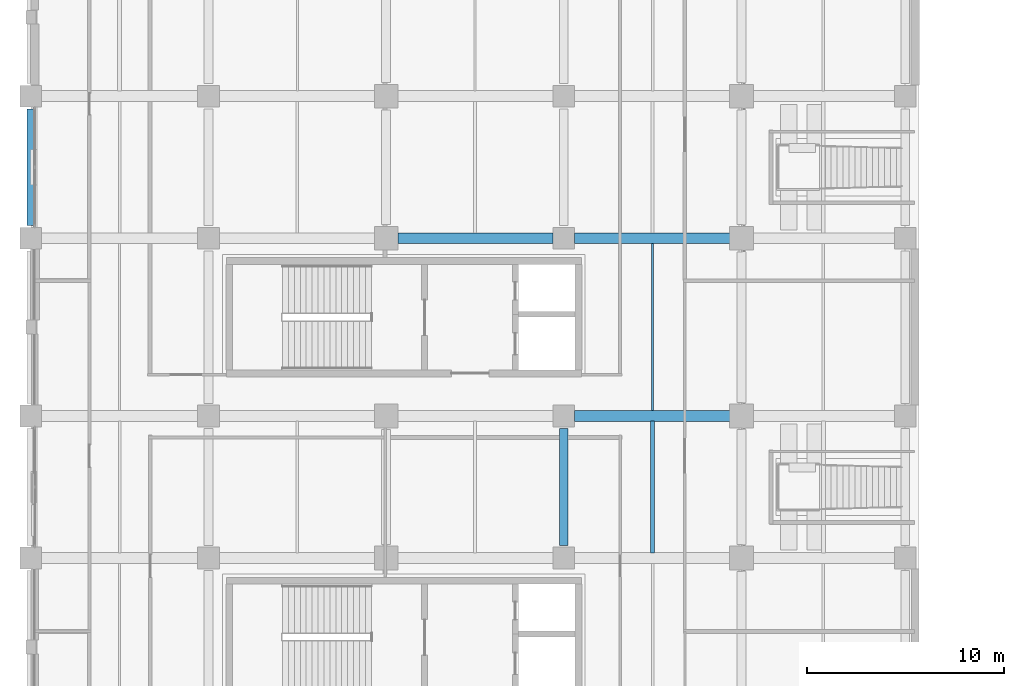
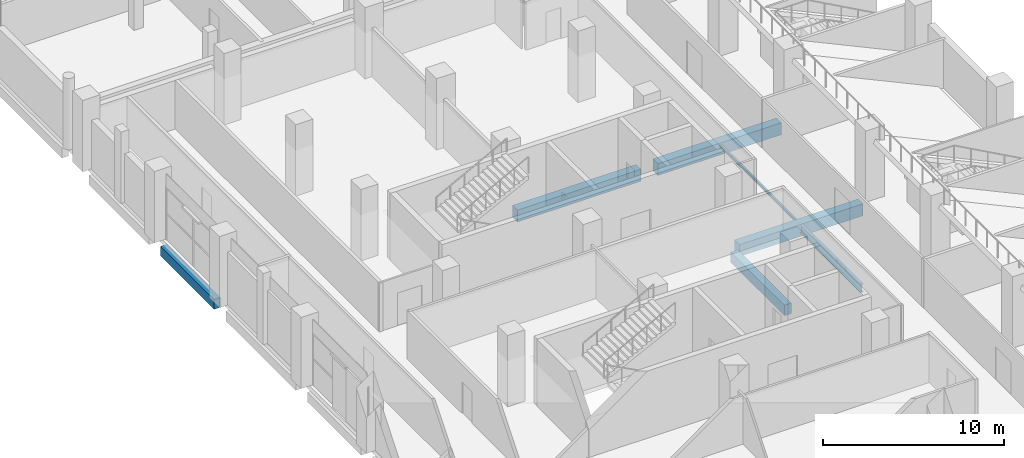
# One storey, part 17 of 100: 7 beams.
"""IFC4 building model written with IfcOpenShell, lengths in metres."""

from ifc_helpers import new_model, si_unit, direction, frame, origin, origin_2d, place, context, subcontext, project, spatial, rectangle, i_section, extrude, material, material_profile, profile_set, type_object, element, save


model = new_model("IFC4")

# Units and contexts
model_context = context("Model", 3, precision=1e-05, world=origin(), true_north=direction((0.0, 1.0)))
body_context = subcontext(model_context, "Body", "Model", "MODEL_VIEW")
ifc_project = project(units=[si_unit("LENGTHUNIT", "METRE"), si_unit("AREAUNIT", "SQUARE_METRE"), si_unit("VOLUMEUNIT", "CUBIC_METRE"), si_unit("PLANEANGLEUNIT", "RADIAN"), si_unit("MASSUNIT", "GRAM", prefix="KILO"), si_unit("THERMODYNAMICTEMPERATUREUNIT", "KELVIN"), si_unit("POWERUNIT", "WATT")], contexts=[model_context])

# Site, building, storey
site_placement = place(None, origin())
site = spatial("IfcSite", under=ifc_project, at=site_placement, CompositionType="ELEMENT")
building_placement = place(site_placement, origin())
building = spatial("IfcBuilding", under=site, at=building_placement, Name="Sindhuravela Promenade Stadium", CompositionType="ELEMENT")
storey_placement = place(building_placement, frame((0.0, 0.0, 4.800048828125)))
storey = spatial("IfcBuildingStorey", under=building, at=storey_placement, Name="L01", CompositionType="ELEMENT", Elevation=4.800048828125)

# Beams
ifc_material_1 = material(Name="Concrete M40", Category="concrete")
ifc_material_profile_1 = material_profile(ifc_material_1, rectangle(XDim=0.39990234375, YDim=0.64990234375, at=origin_2d()), Name="RC 400x650")
ifc_profile_set_1 = profile_set([ifc_material_profile_1], Name="Concrete M40")
beam_type_1 = type_object("IfcBeamType", Name="RC-BM-400x650", PredefinedType="SPANDREL", material=ifc_profile_set_1)
beam_1_placement = place(storey_placement, frame((0.0, 110.43994140625, -0.625), z_axis=(0.0, 1.0, 0.0), x_axis=(-1.0, 0.0, 0.0)))
element("IfcBeam", 1, at=beam_1_placement, inside=storey, type_object=beam_type_1, Name="Primary beam SP01 WEST L01", PredefinedType="SPANDREL", context=body_context, shape_type="SweptSolid", body=[
    extrude(rectangle(XDim=0.39990234375, YDim=0.64990234375, at=origin_2d()), origin(), (0.0, 0.0, 1.0), 5.920166015625),
])
ifc_material_profile_2 = material_profile(ifc_material_1, rectangle(XDim=0.449951171875, YDim=0.699951171875, at=origin_2d()), Name="RC 450x700")
ifc_profile_set_2 = profile_set([ifc_material_profile_2], Name="Concrete M40")
beam_type_2 = type_object("IfcBeamType", Name="RC-BM-450x700", PredefinedType="BEAM", material=ifc_profile_set_2)
beam_2_placement = place(storey_placement, frame((27.0, 94.239990234375, -0.650146484375), z_axis=(0.0, 1.0, 0.0), x_axis=(-1.0, 0.0, 0.0)))
element("IfcBeam", 2, at=beam_2_placement, inside=storey, type_object=beam_type_2, Name="Primary beam GB07 WEST L01", PredefinedType="BEAM", context=body_context, shape_type="SweptSolid", body=[
    extrude(rectangle(XDim=0.449951171875, YDim=0.699951171875, at=origin_2d()), origin(), (0.0, 0.0, 1.0), 5.919921875),
])
ifc_material_profile_3 = material_profile(ifc_material_1, rectangle(XDim=0.550048828125, YDim=0.800048828125, at=origin_2d()), Name="RC 550x800")
ifc_profile_set_3 = profile_set([ifc_material_profile_3], Name="Concrete M40")
beam_type_3 = type_object("IfcBeamType", Name="RC-BM-550x800", PredefinedType="BEAM", material=ifc_profile_set_3)
for number, where, z_axis, x_axis, name in (
    (3, (27.5400390625, 100.800048828125, -0.699951171875), (1.0, 0.0, 0.0), (0.0, 1.0, 0.0), "Primary girder GB05 WEST L01"),
    (4, (18.590087890625, 109.800048828125, -0.699951171875), (1.0, 0.0, 0.0), (0.0, 1.0, 0.0), "Primary girder GB05 WEST L01"),
    (5, (27.5400390625, 109.800048828125, -0.699951171875), (1.0, 0.0, 0.0), (0.0, 1.0, 0.0), "Primary girder GB05 WEST L01"),
):
    element("IfcBeam", number, at=place(storey_placement, frame(where, z_axis=z_axis, x_axis=x_axis)), inside=storey, type_object=beam_type_3, Name=name, PredefinedType="BEAM", context=body_context, shape_type="SweptSolid", body=[
        extrude(rectangle(XDim=0.550048828125, YDim=0.800048828125, at=origin_2d()), origin(), (0.0, 0.0, 1.0), 7.869873046875),
    ])
ifc_material_2 = material(Name="Steel E350 (IS 2062 E350BR)", Category="steel")
ifc_material_profile_4 = material_profile(ifc_material_2, i_section(OverallWidth=0.10009765625, OverallDepth=0.199951171875, WebThickness=0.005615234375, FlangeThickness=0.0107421875, FilletRadius=0.010986328125, at=origin_2d()), Name="ISMB 200")
ifc_profile_set_4 = profile_set([ifc_material_profile_4], Name="Steel E350 (IS 2062 E350BR)")
beam_type_4 = type_object("IfcBeamType", Name="ST-BM-MB200", PredefinedType="JOIST", material=ifc_profile_set_4)
beam_3_placement = place(storey_placement, frame((31.5, 101.06494140625, -0.400146484375), z_axis=(0.0, 1.0, 0.0), x_axis=(-1.0, 0.0, 0.0)))
element("IfcBeam", 6, at=beam_3_placement, inside=storey, type_object=beam_type_4, Name="Secondary floor joist SB01 WEST L01", PredefinedType="JOIST", context=body_context, shape_type="SweptSolid", body=[
    extrude(i_section(OverallWidth=0.10009765625, OverallDepth=0.199951171875, WebThickness=0.005615234375, FlangeThickness=0.0107421875, FilletRadius=0.010986328125, at=origin_2d()), origin(), (0.0, 0.0, 1.0), 8.469970703125),
])
ifc_material_profile_5 = material_profile(ifc_material_2, i_section(OverallWidth=0.18994140625, OverallDepth=0.550048828125, WebThickness=0.01123046875, FlangeThickness=0.019287109375, FilletRadius=0.01806640625, at=origin_2d()), Name="ISMB 550")
ifc_profile_set_5 = profile_set([ifc_material_profile_5], Name="Steel E350 (IS 2062 E350BR)")
beam_type_5 = type_object("IfcBeamType", Name="ST-BM-MB550", PredefinedType="SPANDREL", material=ifc_profile_set_5)
beam_4_placement = place(storey_placement, frame((31.5, 93.864990234375, -0.574951171875), z_axis=(0.0, 1.0, 0.0), x_axis=(-1.0, 0.0, 0.0)))
element("IfcBeam", 7, at=beam_4_placement, inside=storey, type_object=beam_type_5, Name="Secondary floor joist SB08 WEST L01", PredefinedType="SPANDREL", context=body_context, shape_type="SweptSolid", body=[
    extrude(i_section(OverallWidth=0.18994140625, OverallDepth=0.550048828125, WebThickness=0.01123046875, FlangeThickness=0.019287109375, FilletRadius=0.01806640625, at=origin_2d()), origin(), (0.0, 0.0, 1.0), 6.669921875),
])

save(model, "model.ifc")
